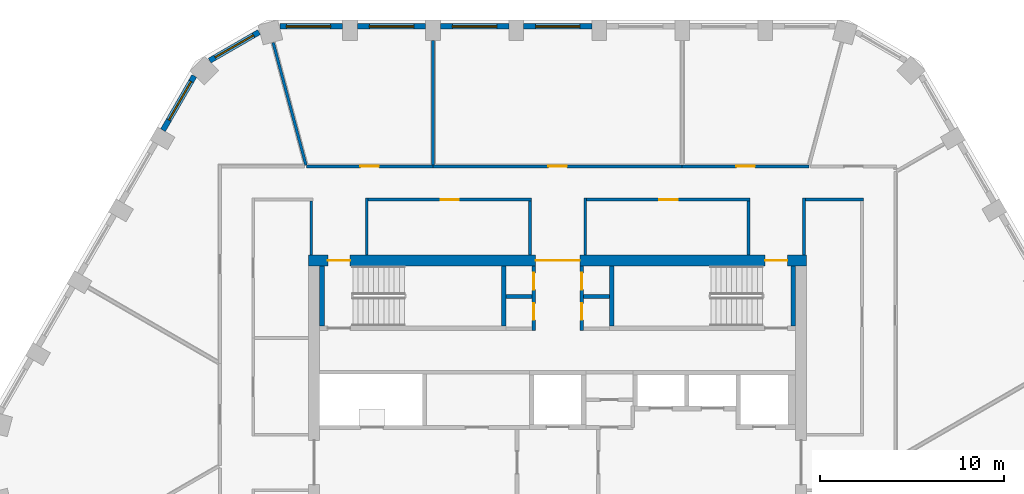
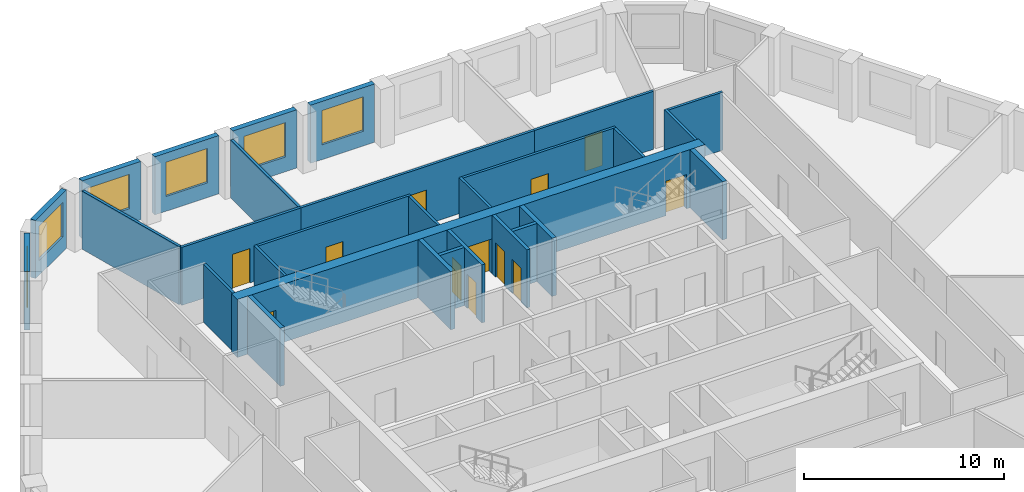
# One storey, part 6 of 13: 29 walls, 12 doors, 6 windows, 18 openings.
"""IFC4 building model written with IfcOpenShell, lengths in metres."""

from ifc_helpers import new_model, si_unit, direction, frame, frame_2d, origin, place, context, subcontext, project, spatial, rectangle, extrude, material, layer, layer_set, type_object, element, fill, save


model = new_model("IFC4")

# Units and contexts
model_context = context("Model", 3, precision=1e-05, world=origin(), true_north=direction((0.0, 1.0)))
body_context = subcontext(model_context, "Body", "Model", "MODEL_VIEW")
ifc_project = project(units=[si_unit("LENGTHUNIT", "METRE"), si_unit("AREAUNIT", "SQUARE_METRE"), si_unit("VOLUMEUNIT", "CUBIC_METRE"), si_unit("PLANEANGLEUNIT", "RADIAN"), si_unit("MASSUNIT", "GRAM", prefix="KILO")], contexts=[model_context])

# Site, building, storey
site_placement = place(None, origin())
site = spatial("IfcSite", under=ifc_project, at=site_placement, CompositionType="ELEMENT")
building_placement = place(site_placement, origin())
building = spatial("IfcBuilding", under=site, at=building_placement, Name="Dhurran Vertical Campus", CompositionType="ELEMENT")
storey_placement = place(building_placement, frame((0.0, 0.0, 191.699951171875)))
storey = spatial("IfcBuildingStorey", under=building, at=storey_placement, Name="L47", CompositionType="ELEMENT", Elevation=191.699951171875)

# Wall, opening, window
ifc_material_1 = material(Name="Precast concrete C50/60", Category="concrete")
ifc_layer_1 = layer(ifc_material_1, 0.300048828125)
ifc_layer_set_1 = layer_set([ifc_layer_1], Name="Precast concrete C50/60")
wall_type_1 = type_object("IfcWallType", Name="Precast spandrel wall 300", PredefinedType="SOLIDWALL", material=ifc_layer_set_1)
wall_1_placement = place(storey_placement, frame((1.849609375, 23.635498046875, 0.0), z_axis=(0.0, 0.0, 1.0), x_axis=(-1.0, 0.0, 0.0)))
wall_1 = element("IfcWall", 1, at=wall_1_placement, inside=storey, type_object=wall_type_1, Name="EW1 L47.23", PredefinedType="SOLIDWALL", context=body_context, shape_type="SweptSolid", body=[
    extrude(rectangle(XDim=3.69921875, YDim=0.300048828125, at=frame_2d((1.849609375, 0.0))), origin(), (0.0, 0.0, 1.0), 3.550048828125),
])
opening_1_placement = place(wall_1_placement, frame((0.6494140625, 0.0, 0.89990234375)))
opening_1 = element("IfcOpeningElement", 2, at=opening_1_placement, cuts=wall_1, Name="Opening WT1", PredefinedType="OPENING", context=body_context, shape_type="SweptSolid", body=[
    extrude(rectangle(XDim=2.39990234375, YDim=2.10009765625, at=frame_2d((1.199951171875, 1.050048828125))), frame((0.0, 0.159912109375, 0.0), z_axis=(0.0, -1.0, 0.0), x_axis=(1.0, 0.0, 0.0)), (0.0, 0.0, 1.0), 0.320068359375),
])
ifc_material_2 = material(Name="Aluminium frame with solar-control glass", Category="aluminium")
window_type = type_object("IfcWindowType", Name="Punched window 2400 x 2100", PartitioningType="SINGLE_PANEL", PredefinedType="WINDOW", material=ifc_material_2)
window_1_placement = place(opening_1_placement, origin())
window_1 = element("IfcWindow", 3, at=window_1_placement, inside=storey, type_object=window_type, Name="WT1 L47.23", OverallHeight=2.10009765625, OverallWidth=2.39990234375, PartitioningType="SINGLE_PANEL", PredefinedType="WINDOW", context=body_context, shape_type="SweptSolid", body=[
    extrude(rectangle(XDim=2.39990234375, YDim=2.10009765625, at=frame_2d((1.199951171875, 1.050048828125))), frame((0.0, 0.030029296875, 0.0), z_axis=(0.0, -1.0, 0.0), x_axis=(1.0, 0.0, 0.0)), (0.0, 0.0, 1.0), 0.06005859375),
])
fill(opening_1, window_1)

wall_2_placement = place(storey_placement, frame((-2.650390625, 23.635498046875, 0.0), z_axis=(0.0, 0.0, 1.0), x_axis=(-1.0, 0.0, 0.0)))
wall_2 = element("IfcWall", 4, at=wall_2_placement, inside=storey, type_object=wall_type_1, Name="EW1 L47.24", PredefinedType="SOLIDWALL", context=body_context, shape_type="SweptSolid", body=[
    extrude(rectangle(XDim=3.69921875, YDim=0.300048828125, at=frame_2d((1.849609375, 0.0))), origin(), (0.0, 0.0, 1.0), 3.550048828125),
])
opening_2_placement = place(wall_2_placement, frame((0.6494140625, 0.0, 0.89990234375)))
opening_2 = element("IfcOpeningElement", 5, at=opening_2_placement, cuts=wall_2, Name="Opening WT1", PredefinedType="OPENING", context=body_context, shape_type="SweptSolid", body=[
    extrude(rectangle(XDim=2.39990234375, YDim=2.10009765625, at=frame_2d((1.199951171875, 1.050048828125))), frame((0.0, 0.159912109375, 0.0), z_axis=(0.0, -1.0, 0.0), x_axis=(1.0, 0.0, 0.0)), (0.0, 0.0, 1.0), 0.320068359375),
])
window_2_placement = place(opening_2_placement, origin())
window_2 = element("IfcWindow", 6, at=window_2_placement, inside=storey, type_object=window_type, Name="WT1 L47.24", OverallHeight=2.10009765625, OverallWidth=2.39990234375, PartitioningType="SINGLE_PANEL", PredefinedType="WINDOW", context=body_context, shape_type="SweptSolid", body=[
    extrude(rectangle(XDim=2.39990234375, YDim=2.10009765625, at=frame_2d((1.199951171875, 1.050048828125))), frame((0.0, 0.030029296875, 0.0), z_axis=(0.0, -1.0, 0.0), x_axis=(1.0, 0.0, 0.0)), (0.0, 0.0, 1.0), 0.06005859375),
])
fill(opening_2, window_2)

wall_3_placement = place(storey_placement, frame((-7.150390625, 23.635498046875, 0.0), z_axis=(0.0, 0.0, 1.0), x_axis=(-1.0, 0.0, 0.0)))
wall_3 = element("IfcWall", 7, at=wall_3_placement, inside=storey, type_object=wall_type_1, Name="EW1 L47.25", PredefinedType="SOLIDWALL", context=body_context, shape_type="SweptSolid", body=[
    extrude(rectangle(XDim=3.69921875, YDim=0.300048828125, at=frame_2d((1.849609375, 0.0))), origin(), (0.0, 0.0, 1.0), 3.550048828125),
])
opening_3_placement = place(wall_3_placement, frame((0.6494140625, 0.0, 0.89990234375)))
opening_3 = element("IfcOpeningElement", 8, at=opening_3_placement, cuts=wall_3, Name="Opening WT1", PredefinedType="OPENING", context=body_context, shape_type="SweptSolid", body=[
    extrude(rectangle(XDim=2.39990234375, YDim=2.10009765625, at=frame_2d((1.199951171875, 1.050048828125))), frame((0.0, 0.159912109375, 0.0), z_axis=(0.0, -1.0, 0.0), x_axis=(1.0, 0.0, 0.0)), (0.0, 0.0, 1.0), 0.320068359375),
])
window_3_placement = place(opening_3_placement, origin())
window_3 = element("IfcWindow", 9, at=window_3_placement, inside=storey, type_object=window_type, Name="WT1 L47.25", OverallHeight=2.10009765625, OverallWidth=2.39990234375, PartitioningType="SINGLE_PANEL", PredefinedType="WINDOW", context=body_context, shape_type="SweptSolid", body=[
    extrude(rectangle(XDim=2.39990234375, YDim=2.10009765625, at=frame_2d((1.199951171875, 1.050048828125))), frame((0.0, 0.030029296875, 0.0), z_axis=(0.0, -1.0, 0.0), x_axis=(1.0, 0.0, 0.0)), (0.0, 0.0, 1.0), 0.06005859375),
])
fill(opening_3, window_3)

wall_4_placement = place(storey_placement, frame((-11.650390625, 23.635498046875, 0.0), z_axis=(0.0, 0.0, 1.0), x_axis=(-1.0, 0.0, 0.0)))
wall_4 = element("IfcWall", 10, at=wall_4_placement, inside=storey, type_object=wall_type_1, Name="EW1 L47.26", PredefinedType="SOLIDWALL", context=body_context, shape_type="SweptSolid", body=[
    extrude(rectangle(XDim=3.39599609375, YDim=0.300048828125, at=frame_2d((1.697998046875, 0.0))), origin(), (0.0, 0.0, 1.0), 3.550048828125),
])
opening_4_placement = place(wall_4_placement, frame((0.6494140625, 0.0, 0.89990234375)))
opening_4 = element("IfcOpeningElement", 11, at=opening_4_placement, cuts=wall_4, Name="Opening WT1", PredefinedType="OPENING", context=body_context, shape_type="SweptSolid", body=[
    extrude(rectangle(XDim=2.39990234375, YDim=2.10009765625, at=frame_2d((1.199951171875, 1.050048828125))), frame((0.0, 0.159912109375, 0.0), z_axis=(0.0, -1.0, 0.0), x_axis=(1.0, 0.0, 0.0)), (0.0, 0.0, 1.0), 0.320068359375),
])
window_4_placement = place(opening_4_placement, origin())
window_4 = element("IfcWindow", 12, at=window_4_placement, inside=storey, type_object=window_type, Name="WT1 L47.26", OverallHeight=2.10009765625, OverallWidth=2.39990234375, PartitioningType="SINGLE_PANEL", PredefinedType="WINDOW", context=body_context, shape_type="SweptSolid", body=[
    extrude(rectangle(XDim=2.39990234375, YDim=2.10009765625, at=frame_2d((1.199951171875, 1.050048828125))), frame((0.0, 0.030029296875, 0.0), z_axis=(0.0, -1.0, 0.0), x_axis=(1.0, 0.0, 0.0)), (0.0, 0.0, 1.0), 0.06005859375),
])
fill(opening_4, window_4)

wall_5_placement = place(storey_placement, frame((-16.184326171875, 23.330810546875, 0.0), z_axis=(0.0, 0.0, 1.0), x_axis=(-0.865994975416, -0.500052699777, 0.0)))
wall_5 = element("IfcWall", 13, at=wall_5_placement, inside=storey, type_object=wall_type_1, Name="EW1 L47.27", PredefinedType="SOLIDWALL", context=body_context, shape_type="SweptSolid", body=[
    extrude(rectangle(XDim=3.093017578125, YDim=0.300048828125, at=frame_2d((1.54638671875, 0.0))), origin(), (0.0, 0.0, 1.0), 3.550048828125),
])
opening_5_placement = place(wall_5_placement, frame((0.346435546875, 0.0, 0.89990234375)))
opening_5 = element("IfcOpeningElement", 14, at=opening_5_placement, cuts=wall_5, Name="Opening WT1", PredefinedType="OPENING", context=body_context, shape_type="SweptSolid", body=[
    extrude(rectangle(XDim=2.39990234375, YDim=2.10009765625, at=frame_2d((1.199951171875, 1.050048828125))), frame((0.0, 0.159912109375, 0.0), z_axis=(0.0, -1.0, 0.0), x_axis=(1.0, 0.0, 0.0)), (0.0, 0.0, 1.0), 0.320068359375),
])
window_5_placement = place(opening_5_placement, origin())
window_5 = element("IfcWindow", 15, at=window_5_placement, inside=storey, type_object=window_type, Name="WT1 L47.27", OverallHeight=2.10009765625, OverallWidth=2.39990234375, PartitioningType="SINGLE_PANEL", PredefinedType="WINDOW", context=body_context, shape_type="SweptSolid", body=[
    extrude(rectangle(XDim=2.39990234375, YDim=2.10009765625, at=frame_2d((1.199951171875, 1.050048828125))), frame((0.0, 0.030029296875, 0.0), z_axis=(0.0, -1.0, 0.0), x_axis=(1.0, 0.0, 0.0)), (0.0, 0.0, 1.0), 0.06005859375),
])
fill(opening_5, window_5)

wall_6_placement = place(storey_placement, frame((-19.69580078125, 20.951171875, 0.0), z_axis=(0.0, 0.0, 1.0), x_axis=(-0.500012868213, -0.866017974191, 0.0)))
wall_6 = element("IfcWall", 16, at=wall_6_placement, inside=storey, type_object=wall_type_1, Name="EW1 L47.28", PredefinedType="SOLIDWALL", context=body_context, shape_type="SweptSolid", body=[
    extrude(rectangle(XDim=3.39599609375, YDim=0.300048828125, at=frame_2d((1.697998046875, 0.0))), origin(), (0.0, 0.0, 1.0), 3.550048828125),
])
opening_6_placement = place(wall_6_placement, frame((0.346435546875, 0.0, 0.89990234375)))
opening_6 = element("IfcOpeningElement", 17, at=opening_6_placement, cuts=wall_6, Name="Opening WT1", PredefinedType="OPENING", context=body_context, shape_type="SweptSolid", body=[
    extrude(rectangle(XDim=2.39990234375, YDim=2.10009765625, at=frame_2d((1.199951171875, 1.050048828125))), frame((0.0, 0.159912109375, 0.0), z_axis=(0.0, -1.0, 0.0), x_axis=(1.0, 0.0, 0.0)), (0.0, 0.0, 1.0), 0.320068359375),
])
window_6_placement = place(opening_6_placement, origin())
window_6 = element("IfcWindow", 18, at=window_6_placement, inside=storey, type_object=window_type, Name="WT1 L47.28", OverallHeight=2.10009765625, OverallWidth=2.39990234375, PartitioningType="SINGLE_PANEL", PredefinedType="WINDOW", context=body_context, shape_type="SweptSolid", body=[
    extrude(rectangle(XDim=2.39990234375, YDim=2.10009765625, at=frame_2d((1.199951171875, 1.050048828125))), frame((0.0, 0.030029296875, 0.0), z_axis=(0.0, -1.0, 0.0), x_axis=(1.0, 0.0, 0.0)), (0.0, 0.0, 1.0), 0.06005859375),
])
fill(opening_6, window_6)

# Wall, openings, doors
ifc_material_3 = material(Name="Concrete C50/60", Category="concrete")
ifc_layer_2 = layer(ifc_material_3, 0.60009765625)
ifc_layer_set_2 = layer_set([ifc_layer_2], Name="Concrete C50/60")
wall_type_2 = type_object("IfcWallType", Name="co-CORE-WALL-C2-600", PredefinedType="SHEAR", material=ifc_layer_set_2)
wall_7_placement = place(storey_placement, frame((-13.5, 10.949951171875, 0.0), z_axis=(0.0, 0.0, 1.0), x_axis=(1.0, 0.0, 0.0)))
wall_7 = element("IfcWall", 19, at=wall_7_placement, inside=storey, type_object=wall_type_2, Name="Core wall N L47", PredefinedType="SHEAR", context=body_context, shape_type="SweptSolid", body=[
    extrude(rectangle(XDim=27.0, YDim=0.60009765625, at=frame_2d((13.5, 0.0))), origin(), (0.0, 0.0, 1.0), 3.550048828125),
])
opening_7_placement = place(wall_7_placement, frame((12.300048828125, 0.0, 0.0)))
opening_7 = element("IfcOpeningElement", 20, at=opening_7_placement, cuts=wall_7, Name="Opening CV1", PredefinedType="OPENING", context=body_context, shape_type="SweptSolid", body=[
    extrude(rectangle(XDim=2.39990234375, YDim=2.10009765625, at=frame_2d((1.199951171875, 1.050048828125))), frame((0.0, 0.31005859375, 0.0), z_axis=(0.0, -1.0, 0.0), x_axis=(1.0, 0.0, 0.0)), (0.0, 0.0, 1.0), 0.6201171875),
])
opening_8_placement = place(wall_7_placement, frame((1.050048828125, 0.0, 0.0)))
opening_8 = element("IfcOpeningElement", 21, at=opening_8_placement, cuts=wall_7, Name="Opening XD1", PredefinedType="OPENING", context=body_context, shape_type="SweptSolid", body=[
    extrude(rectangle(XDim=1.199951171875, YDim=2.10009765625, at=frame_2d((0.60009765625, 1.050048828125))), frame((0.0, 0.31005859375, 0.0), z_axis=(0.0, -1.0, 0.0), x_axis=(1.0, 0.0, 0.0)), (0.0, 0.0, 1.0), 0.6201171875),
])
opening_9_placement = place(wall_7_placement, frame((24.75, 0.0, 0.0)))
opening_9 = element("IfcOpeningElement", 22, at=opening_9_placement, cuts=wall_7, Name="Opening XD2", PredefinedType="OPENING", context=body_context, shape_type="SweptSolid", body=[
    extrude(rectangle(XDim=1.199951171875, YDim=2.10009765625, at=frame_2d((0.60009765625, 1.050048828125))), frame((0.0, 0.31005859375, 0.0), z_axis=(0.0, -1.0, 0.0), x_axis=(1.0, 0.0, 0.0)), (0.0, 0.0, 1.0), 0.6201171875),
])
ifc_material_4 = material(Name="Fire-rated glazed door set")
door_type_1 = type_object("IfcDoorType", Name="co-D-LOBBY 2400x2100", OperationType="DOUBLE_DOOR_DOUBLE_SWING", PredefinedType="DOOR", material=ifc_material_4)
door_1_placement = place(opening_7_placement, origin())
door_1 = element("IfcDoor", 23, at=door_1_placement, inside=storey, type_object=door_type_1, Name="Core vestibule door N L47", OperationType="DOUBLE_DOOR_DOUBLE_SWING", OverallHeight=2.10009765625, OverallWidth=2.39990234375, PredefinedType="DOOR", context=body_context, shape_type="SweptSolid", body=[
    extrude(rectangle(XDim=2.39990234375, YDim=2.10009765625, at=frame_2d((1.199951171875, 1.050048828125))), frame((0.0, 0.02490234375, 0.0), z_axis=(0.0, -1.0, 0.0), x_axis=(1.0, 0.0, 0.0)), (0.0, 0.0, 1.0), 0.050048828125),
])
fill(opening_7, door_1)
ifc_material_5 = material(Name="Fire-rated steel door set", Category="steel")
door_type_2 = type_object("IfcDoorType", Name="co-D-STAIR-EXIT 1200x2100", OperationType="SINGLE_SWING_RIGHT", PredefinedType="DOOR", material=ifc_material_5)
door_2_placement = place(opening_8_placement, origin())
door_2 = element("IfcDoor", 24, at=door_2_placement, inside=storey, type_object=door_type_2, Name="Stair ST1 exit door L47", OperationType="SINGLE_SWING_RIGHT", OverallHeight=2.10009765625, OverallWidth=1.199951171875, PredefinedType="DOOR", context=body_context, shape_type="SweptSolid", body=[
    extrude(rectangle(XDim=1.199951171875, YDim=2.10009765625, at=frame_2d((0.60009765625, 1.050048828125))), frame((0.0, 0.02490234375, 0.0), z_axis=(0.0, -1.0, 0.0), x_axis=(1.0, 0.0, 0.0)), (0.0, 0.0, 1.0), 0.050048828125),
])
fill(opening_8, door_2)
door_3_placement = place(opening_9_placement, origin())
door_3 = element("IfcDoor", 25, at=door_3_placement, inside=storey, type_object=door_type_2, Name="Stair ST2 exit door L47", OperationType="SINGLE_SWING_RIGHT", OverallHeight=2.10009765625, OverallWidth=1.199951171875, PredefinedType="DOOR", context=body_context, shape_type="SweptSolid", body=[
    extrude(rectangle(XDim=1.199951171875, YDim=2.10009765625, at=frame_2d((0.60009765625, 1.050048828125))), frame((0.0, 0.02490234375, 0.0), z_axis=(0.0, -1.0, 0.0), x_axis=(1.0, 0.0, 0.0)), (0.0, 0.0, 1.0), 0.050048828125),
])
fill(opening_9, door_3)

# Walls
ifc_material_6 = material(Name="Fire-rated masonry blockwork", Category="masonry")
ifc_layer_3 = layer(ifc_material_6, 0.199951171875)
ifc_layer_set_3 = layer_set([ifc_layer_3], Name="Fire-rated masonry blockwork")
wall_type_3 = type_object("IfcWallType", Name="co-FIRE-PARTITION-200", PredefinedType="PARTITIONING", material=ifc_layer_set_3)
for number, where, z_axis, x_axis, name in (
    (26, (-2.800048828125, 9.0, 0.0), (0.0, 0.0, 1.0), (1.0, 0.0, 0.0), "Core partition sl-NW-cut0 L47"),
    (27, (1.39990234375, 9.0, 0.0), (0.0, 0.0, 1.0), (1.0, 0.0, 0.0), "Core partition sl-NE-cut0 L47"),
):
    element("IfcWall", number, at=place(storey_placement, frame(where, z_axis=z_axis, x_axis=x_axis)), inside=storey, type_object=wall_type_3, Name=name, PredefinedType="PARTITIONING", context=body_context, shape_type="SweptSolid", body=[
        extrude(rectangle(XDim=1.400146484375, YDim=0.199951171875, at=frame_2d((0.7001953125, 0.0))), origin(), (0.0, 0.0, 1.0), 3.550048828125),
    ])

# Wall, openings, doors
wall_8_placement = place(storey_placement, frame((-1.300048828125, 7.14990234375, 0.0), z_axis=(0.0, 0.0, 1.0), x_axis=(0.0, 1.0, 0.0)))
wall_8 = element("IfcWall", 28, at=wall_8_placement, inside=storey, type_object=wall_type_3, Name="Core partition vest-NW L47", PredefinedType="PARTITIONING", context=body_context, shape_type="SweptSolid", body=[
    extrude(rectangle(XDim=3.5, YDim=0.199951171875, at=frame_2d((1.75, 0.0))), origin(), (0.0, 0.0, 1.0), 3.550048828125),
])
opening_10_placement = place(wall_8_placement, frame((0.574951171875, 0.0, 0.0)))
opening_10 = element("IfcOpeningElement", 29, at=opening_10_placement, cuts=wall_8, Name="Opening T13-C4", PredefinedType="OPENING", context=body_context, shape_type="SweptSolid", body=[
    extrude(rectangle(XDim=0.89990234375, YDim=2.10009765625, at=frame_2d((0.449951171875, 1.050048828125))), frame((0.0, 0.10986328125, 0.0), z_axis=(0.0, -1.0, 0.0), x_axis=(1.0, 0.0, 0.0)), (0.0, 0.0, 1.0), 0.219970703125),
])
opening_11_placement = place(wall_8_placement, frame((2.22509765625, 0.0, 0.0)))
opening_11 = element("IfcOpeningElement", 30, at=opening_11_placement, cuts=wall_8, Name="Opening T13-C5", PredefinedType="OPENING", context=body_context, shape_type="SweptSolid", body=[
    extrude(rectangle(XDim=0.89990234375, YDim=2.10009765625, at=frame_2d((0.449951171875, 1.050048828125))), frame((0.0, 0.10986328125, 0.0), z_axis=(0.0, -1.0, 0.0), x_axis=(1.0, 0.0, 0.0)), (0.0, 0.0, 1.0), 0.219970703125),
])
ifc_material_7 = material(Name="Fire-rated timber door set", Category="wood")
door_type_3 = type_object("IfcDoorType", Name="co-D-ROOM 900x2100", OperationType="SINGLE_SWING_LEFT", PredefinedType="DOOR", material=ifc_material_7)
door_4_placement = place(opening_10_placement, origin())
door_4 = element("IfcDoor", 31, at=door_4_placement, inside=storey, type_object=door_type_3, Name="Store door L47", OperationType="SINGLE_SWING_LEFT", OverallHeight=2.10009765625, OverallWidth=0.89990234375, PredefinedType="DOOR", context=body_context, shape_type="SweptSolid", body=[
    extrude(rectangle(XDim=0.89990234375, YDim=2.10009765625, at=frame_2d((0.449951171875, 1.050048828125))), frame((0.0, 0.02490234375, 0.0), z_axis=(0.0, -1.0, 0.0), x_axis=(1.0, 0.0, 0.0)), (0.0, 0.0, 1.0), 0.050048828125),
])
fill(opening_10, door_4)
door_5_placement = place(opening_11_placement, origin())
door_5 = element("IfcDoor", 32, at=door_5_placement, inside=storey, type_object=door_type_3, Name="Housekeeping store door L47", OperationType="SINGLE_SWING_LEFT", OverallHeight=2.10009765625, OverallWidth=0.89990234375, PredefinedType="DOOR", context=body_context, shape_type="SweptSolid", body=[
    extrude(rectangle(XDim=0.89990234375, YDim=2.10009765625, at=frame_2d((0.449951171875, 1.050048828125))), frame((0.0, 0.02490234375, 0.0), z_axis=(0.0, -1.0, 0.0), x_axis=(1.0, 0.0, 0.0)), (0.0, 0.0, 1.0), 0.050048828125),
])
fill(opening_11, door_5)

wall_9_placement = place(storey_placement, frame((1.300048828125, 7.14990234375, 0.0), z_axis=(0.0, 0.0, 1.0), x_axis=(0.0, 1.0, 0.0)))
wall_9 = element("IfcWall", 33, at=wall_9_placement, inside=storey, type_object=wall_type_3, Name="Core partition vest-NE L47", PredefinedType="PARTITIONING", context=body_context, shape_type="SweptSolid", body=[
    extrude(rectangle(XDim=3.5, YDim=0.199951171875, at=frame_2d((1.75, 0.0))), origin(), (0.0, 0.0, 1.0), 3.550048828125),
])
opening_12_placement = place(wall_9_placement, frame((0.574951171875, 0.0, 0.0)))
opening_12 = element("IfcOpeningElement", 34, at=opening_12_placement, cuts=wall_9, Name="Opening T13-C6", PredefinedType="OPENING", context=body_context, shape_type="SweptSolid", body=[
    extrude(rectangle(XDim=0.89990234375, YDim=2.10009765625, at=frame_2d((0.449951171875, 1.050048828125))), frame((0.0, 0.10986328125, 0.0), z_axis=(0.0, -1.0, 0.0), x_axis=(1.0, 0.0, 0.0)), (0.0, 0.0, 1.0), 0.219970703125),
])
opening_13_placement = place(wall_9_placement, frame((2.22509765625, 0.0, 0.0)))
opening_13 = element("IfcOpeningElement", 35, at=opening_13_placement, cuts=wall_9, Name="Opening T13-C7", PredefinedType="OPENING", context=body_context, shape_type="SweptSolid", body=[
    extrude(rectangle(XDim=0.89990234375, YDim=2.10009765625, at=frame_2d((0.449951171875, 1.050048828125))), frame((0.0, 0.10986328125, 0.0), z_axis=(0.0, -1.0, 0.0), x_axis=(1.0, 0.0, 0.0)), (0.0, 0.0, 1.0), 0.219970703125),
])
door_6_placement = place(opening_12_placement, origin())
door_6 = element("IfcDoor", 36, at=door_6_placement, inside=storey, type_object=door_type_3, Name="Fire equipment store door L47", OperationType="SINGLE_SWING_LEFT", OverallHeight=2.10009765625, OverallWidth=0.89990234375, PredefinedType="DOOR", context=body_context, shape_type="SweptSolid", body=[
    extrude(rectangle(XDim=0.89990234375, YDim=2.10009765625, at=frame_2d((0.449951171875, 1.050048828125))), frame((0.0, 0.02490234375, 0.0), z_axis=(0.0, -1.0, 0.0), x_axis=(1.0, 0.0, 0.0)), (0.0, 0.0, 1.0), 0.050048828125),
])
fill(opening_12, door_6)
door_7_placement = place(opening_13_placement, origin())
door_7 = element("IfcDoor", 37, at=door_7_placement, inside=storey, type_object=door_type_3, Name="Plant room door L47", OperationType="SINGLE_SWING_LEFT", OverallHeight=2.10009765625, OverallWidth=0.89990234375, PredefinedType="DOOR", context=body_context, shape_type="SweptSolid", body=[
    extrude(rectangle(XDim=0.89990234375, YDim=2.10009765625, at=frame_2d((0.449951171875, 1.050048828125))), frame((0.0, 0.02490234375, 0.0), z_axis=(0.0, -1.0, 0.0), x_axis=(1.0, 0.0, 0.0)), (0.0, 0.0, 1.0), 0.050048828125),
])
fill(opening_13, door_7)

# Walls
ifc_material_8 = material(Name="Concrete C40/50", Category="concrete")
ifc_layer_4 = layer(ifc_material_8, 0.25)
ifc_layer_set_4 = layer_set([ifc_layer_4], Name="Concrete C40/50")
wall_type_4 = type_object("IfcWallType", Name="co-STAIR-WALL-250", PredefinedType="SHEAR", material=ifc_layer_set_4)
for number, where, z_axis, x_axis, name in (
    (38, (-12.77490234375, 7.39990234375, 0.0), (0.0, 0.0, 1.0), (0.0, 1.0, 0.0), "Stair ST1 enclosure wall L47"),
    (39, (-2.925048828125, 7.39990234375, 0.0), (0.0, 0.0, 1.0), (0.0, 1.0, 0.0), "Stair ST1 enclosure wall L47"),
    (40, (2.925048828125, 7.39990234375, 0.0), (0.0, 0.0, 1.0), (0.0, 1.0, 0.0), "Stair ST2 enclosure wall L47"),
    (41, (12.77490234375, 7.39990234375, 0.0), (0.0, 0.0, 1.0), (0.0, 1.0, 0.0), "Stair ST2 enclosure wall L47"),
):
    element("IfcWall", number, at=place(storey_placement, frame(where, z_axis=z_axis, x_axis=x_axis)), inside=storey, type_object=wall_type_4, Name=name, PredefinedType="SHEAR", context=body_context, shape_type="SweptSolid", body=[
        extrude(rectangle(XDim=3.25, YDim=0.25, at=frame_2d((1.625, 0.0))), origin(), (0.0, 0.0, 1.0), 3.550048828125),
    ])

# Wall, opening, door
ifc_material_9 = material(Name="Gypsum board corridor wall on steel studs", Category="steel")
ifc_layer_5 = layer(ifc_material_9, 0.14990234375)
ifc_layer_set_5 = layer_set([ifc_layer_5], Name="Gypsum board corridor wall on steel studs")
wall_type_5 = type_object("IfcWallType", Name="fl-CW-150 corridor wall", PredefinedType="PARTITIONING", material=ifc_layer_set_5)
wall_10_placement = place(storey_placement, frame((-6.75, 16.050048828125, 0.0), z_axis=(0.0, 0.0, 1.0), x_axis=(-1.0, 0.0, 0.0)))
wall_10 = element("IfcWall", 42, at=wall_10_placement, inside=storey, type_object=wall_type_5, Name="Partition 47-21", PredefinedType="PARTITIONING", context=body_context, shape_type="SweptSolid", body=[
    extrude(rectangle(XDim=6.8740234375, YDim=0.14990234375, at=frame_2d((3.43701171875, 0.0))), origin(), (0.0, 0.0, 1.0), 3.550048828125),
])
opening_14_placement = place(wall_10_placement, frame((2.93701171875, 0.0, 0.0)))
opening_14 = element("IfcOpeningElement", 43, at=opening_14_placement, cuts=wall_10, Name="Opening T13.09", PredefinedType="OPENING", context=body_context, shape_type="SweptSolid", body=[
    extrude(rectangle(XDim=1.0, YDim=2.10009765625, at=frame_2d((0.5, 1.050048828125))), frame((0.0, 0.0849609375, 0.0), z_axis=(0.0, -1.0, 0.0), x_axis=(1.0, 0.0, 0.0)), (0.0, 0.0, 1.0), 0.169921875),
])
ifc_material_10 = material(Name="Solid-core timber door set, fire-rated", Category="wood")
door_type_4 = type_object("IfcDoorType", Name="fl-D-1000x2100", OperationType="SINGLE_SWING_LEFT", PredefinedType="DOOR", material=ifc_material_10)
door_8_placement = place(opening_14_placement, origin())
door_8 = element("IfcDoor", 44, at=door_8_placement, inside=storey, type_object=door_type_4, Name="Door 47.09", OperationType="SINGLE_SWING_RIGHT", OverallHeight=2.10009765625, OverallWidth=1.0, PredefinedType="DOOR", context=body_context, shape_type="SweptSolid", body=[
    extrude(rectangle(XDim=1.0, YDim=2.10009765625, at=frame_2d((0.5, 1.050048828125))), frame((0.0, 0.02490234375, 0.0), z_axis=(0.0, -1.0, 0.0), x_axis=(1.0, 0.0, 0.0)), (0.0, 0.0, 1.0), 0.050048828125),
])
fill(opening_14, door_8)

# Walls
wall_11_placement = place(storey_placement, frame((-13.35009765625, 14.175048828125, 0.0), z_axis=(0.0, 0.0, 1.0), x_axis=(0.0, -1.0, 0.0)))
element("IfcWall", 45, at=wall_11_placement, inside=storey, type_object=wall_type_5, Name="Partition 47-23", PredefinedType="PARTITIONING", context=body_context, shape_type="SweptSolid", body=[
    extrude(rectangle(XDim=2.925048828125, YDim=0.14990234375, at=frame_2d((1.46240234375, 0.0))), origin(), (0.0, 0.0, 1.0), 3.550048828125),
])
wall_12_placement = place(storey_placement, frame((-10.35009765625, 11.25, 0.0), z_axis=(0.0, 0.0, 1.0), x_axis=(0.0, 1.0, 0.0)))
element("IfcWall", 46, at=wall_12_placement, inside=storey, type_object=wall_type_5, Name="Partition 47-28", PredefinedType="PARTITIONING", context=body_context, shape_type="SweptSolid", body=[
    extrude(rectangle(XDim=3.074951171875, YDim=0.14990234375, at=frame_2d((1.53759765625, 0.0))), origin(), (0.0, 0.0, 1.0), 3.550048828125),
])

# Wall, opening, door
wall_13_placement = place(storey_placement, frame((-10.27490234375, 14.25, 0.0), z_axis=(0.0, 0.0, 1.0), x_axis=(1.0, 0.0, 0.0)))
wall_13 = element("IfcWall", 47, at=wall_13_placement, inside=storey, type_object=wall_type_5, Name="Partition 47-29", PredefinedType="PARTITIONING", context=body_context, shape_type="SweptSolid", body=[
    extrude(rectangle(XDim=8.849853515625, YDim=0.14990234375, at=frame_2d((4.4248046875, 0.0))), origin(), (0.0, 0.0, 1.0), 3.550048828125),
])
opening_15_placement = place(wall_13_placement, frame((3.925048828125, 0.0, 0.0)))
opening_15 = element("IfcOpeningElement", 48, at=opening_15_placement, cuts=wall_13, Name="Opening T13.11", PredefinedType="OPENING", context=body_context, shape_type="SweptSolid", body=[
    extrude(rectangle(XDim=1.0, YDim=2.10009765625, at=frame_2d((0.5, 1.050048828125))), frame((0.0, 0.0849609375, 0.0), z_axis=(0.0, -1.0, 0.0), x_axis=(1.0, 0.0, 0.0)), (0.0, 0.0, 1.0), 0.169921875),
])
door_9_placement = place(opening_15_placement, origin())
door_9 = element("IfcDoor", 49, at=door_9_placement, inside=storey, type_object=door_type_4, Name="Door 47.11", OperationType="SINGLE_SWING_LEFT", OverallHeight=2.10009765625, OverallWidth=1.0, PredefinedType="DOOR", context=body_context, shape_type="SweptSolid", body=[
    extrude(rectangle(XDim=1.0, YDim=2.10009765625, at=frame_2d((0.5, 1.050048828125))), frame((0.0, 0.02490234375, 0.0), z_axis=(0.0, -1.0, 0.0), x_axis=(1.0, 0.0, 0.0)), (0.0, 0.0, 1.0), 0.050048828125),
])
fill(opening_15, door_9)

wall_14_placement = place(storey_placement, frame((6.75, 16.050048828125, 0.0), z_axis=(0.0, 0.0, 1.0), x_axis=(-1.0, 0.0, 0.0)))
wall_14 = element("IfcWall", 50, at=wall_14_placement, inside=storey, type_object=wall_type_5, Name="Partition 47-31", PredefinedType="PARTITIONING", context=body_context, shape_type="SweptSolid", body=[
    extrude(rectangle(XDim=13.5, YDim=0.14990234375, at=frame_2d((6.75, 0.0))), origin(), (0.0, 0.0, 1.0), 3.550048828125),
])
opening_16_placement = place(wall_14_placement, frame((6.25, 0.0, 0.0)))
opening_16 = element("IfcOpeningElement", 51, at=opening_16_placement, cuts=wall_14, Name="Opening T13.13", PredefinedType="OPENING", context=body_context, shape_type="SweptSolid", body=[
    extrude(rectangle(XDim=1.0, YDim=2.10009765625, at=frame_2d((0.5, 1.050048828125))), frame((0.0, 0.0849609375, 0.0), z_axis=(0.0, -1.0, 0.0), x_axis=(1.0, 0.0, 0.0)), (0.0, 0.0, 1.0), 0.169921875),
])
door_10_placement = place(opening_16_placement, origin())
door_10 = element("IfcDoor", 52, at=door_10_placement, inside=storey, type_object=door_type_4, Name="Door 47.13", OperationType="SINGLE_SWING_LEFT", OverallHeight=2.10009765625, OverallWidth=1.0, PredefinedType="DOOR", context=body_context, shape_type="SweptSolid", body=[
    extrude(rectangle(XDim=1.0, YDim=2.10009765625, at=frame_2d((0.5, 1.050048828125))), frame((0.0, 0.02490234375, 0.0), z_axis=(0.0, -1.0, 0.0), x_axis=(1.0, 0.0, 0.0)), (0.0, 0.0, 1.0), 0.050048828125),
])
fill(opening_16, door_10)

# Walls
wall_15_placement = place(storey_placement, frame((-1.5, 14.175048828125, 0.0), z_axis=(0.0, 0.0, 1.0), x_axis=(0.0, -1.0, 0.0)))
element("IfcWall", 53, at=wall_15_placement, inside=storey, type_object=wall_type_5, Name="Partition 47-33", PredefinedType="PARTITIONING", context=body_context, shape_type="SweptSolid", body=[
    extrude(rectangle(XDim=2.925048828125, YDim=0.14990234375, at=frame_2d((1.46240234375, 0.0))), origin(), (0.0, 0.0, 1.0), 3.550048828125),
])
wall_16_placement = place(storey_placement, frame((1.5, 11.25, 0.0), z_axis=(0.0, 0.0, 1.0), x_axis=(0.0, 1.0, 0.0)))
element("IfcWall", 54, at=wall_16_placement, inside=storey, type_object=wall_type_5, Name="Partition 47-36", PredefinedType="PARTITIONING", context=body_context, shape_type="SweptSolid", body=[
    extrude(rectangle(XDim=3.074951171875, YDim=0.14990234375, at=frame_2d((1.53759765625, 0.0))), origin(), (0.0, 0.0, 1.0), 3.550048828125),
])

# Wall, opening, door
wall_17_placement = place(storey_placement, frame((1.574951171875, 14.25, 0.0), z_axis=(0.0, 0.0, 1.0), x_axis=(1.0, 0.0, 0.0)))
wall_17 = element("IfcWall", 55, at=wall_17_placement, inside=storey, type_object=wall_type_5, Name="Partition 47-37", PredefinedType="PARTITIONING", context=body_context, shape_type="SweptSolid", body=[
    extrude(rectangle(XDim=8.85009765625, YDim=0.14990234375, at=frame_2d((4.425048828125, 0.0))), origin(), (0.0, 0.0, 1.0), 3.550048828125),
])
opening_17_placement = place(wall_17_placement, frame((3.925048828125, 0.0, 0.0)))
opening_17 = element("IfcOpeningElement", 56, at=opening_17_placement, cuts=wall_17, Name="Opening T13.15", PredefinedType="OPENING", context=body_context, shape_type="SweptSolid", body=[
    extrude(rectangle(XDim=1.0, YDim=2.10009765625, at=frame_2d((0.5, 1.050048828125))), frame((0.0, 0.0849609375, 0.0), z_axis=(0.0, -1.0, 0.0), x_axis=(1.0, 0.0, 0.0)), (0.0, 0.0, 1.0), 0.169921875),
])
door_11_placement = place(opening_17_placement, origin())
door_11 = element("IfcDoor", 57, at=door_11_placement, inside=storey, type_object=door_type_4, Name="Door 47.15", OperationType="SINGLE_SWING_RIGHT", OverallHeight=2.10009765625, OverallWidth=1.0, PredefinedType="DOOR", context=body_context, shape_type="SweptSolid", body=[
    extrude(rectangle(XDim=1.0, YDim=2.10009765625, at=frame_2d((0.5, 1.050048828125))), frame((0.0, 0.02490234375, 0.0), z_axis=(0.0, -1.0, 0.0), x_axis=(1.0, 0.0, 0.0)), (0.0, 0.0, 1.0), 0.050048828125),
])
fill(opening_17, door_11)

wall_18_placement = place(storey_placement, frame((13.6240234375, 16.050048828125, 0.0), z_axis=(0.0, 0.0, 1.0), x_axis=(-1.0, 0.0, 0.0)))
wall_18 = element("IfcWall", 58, at=wall_18_placement, inside=storey, type_object=wall_type_5, Name="Partition 47-41", PredefinedType="PARTITIONING", context=body_context, shape_type="SweptSolid", body=[
    extrude(rectangle(XDim=6.8740234375, YDim=0.14990234375, at=frame_2d((3.43701171875, 0.0))), origin(), (0.0, 0.0, 1.0), 3.550048828125),
])
opening_18_placement = place(wall_18_placement, frame((2.93701171875, 0.0, 0.0)))
opening_18 = element("IfcOpeningElement", 59, at=opening_18_placement, cuts=wall_18, Name="Opening T13.17", PredefinedType="OPENING", context=body_context, shape_type="SweptSolid", body=[
    extrude(rectangle(XDim=1.0, YDim=2.10009765625, at=frame_2d((0.5, 1.050048828125))), frame((0.0, 0.0849609375, 0.0), z_axis=(0.0, -1.0, 0.0), x_axis=(1.0, 0.0, 0.0)), (0.0, 0.0, 1.0), 0.169921875),
])
door_12_placement = place(opening_18_placement, origin())
door_12 = element("IfcDoor", 60, at=door_12_placement, inside=storey, type_object=door_type_4, Name="Door 47.17", OperationType="SINGLE_SWING_RIGHT", OverallHeight=2.10009765625, OverallWidth=1.0, PredefinedType="DOOR", context=body_context, shape_type="SweptSolid", body=[
    extrude(rectangle(XDim=1.0, YDim=2.10009765625, at=frame_2d((0.5, 1.050048828125))), frame((0.0, 0.02490234375, 0.0), z_axis=(0.0, -1.0, 0.0), x_axis=(1.0, 0.0, 0.0)), (0.0, 0.0, 1.0), 0.050048828125),
])
fill(opening_18, door_12)

# Walls
wall_19_placement = place(storey_placement, frame((10.35009765625, 14.175048828125, 0.0), z_axis=(0.0, 0.0, 1.0), x_axis=(0.0, -1.0, 0.0)))
element("IfcWall", 61, at=wall_19_placement, inside=storey, type_object=wall_type_5, Name="Partition 47-43", PredefinedType="PARTITIONING", context=body_context, shape_type="SweptSolid", body=[
    extrude(rectangle(XDim=2.925048828125, YDim=0.14990234375, at=frame_2d((1.46240234375, 0.0))), origin(), (0.0, 0.0, 1.0), 3.550048828125),
])
wall_20_placement = place(storey_placement, frame((13.35009765625, 11.25, 0.0), z_axis=(0.0, 0.0, 1.0), x_axis=(0.0, 1.0, 0.0)))
element("IfcWall", 62, at=wall_20_placement, inside=storey, type_object=wall_type_5, Name="Partition 47-46", PredefinedType="PARTITIONING", context=body_context, shape_type="SweptSolid", body=[
    extrude(rectangle(XDim=3.074951171875, YDim=0.14990234375, at=frame_2d((1.53759765625, 0.0))), origin(), (0.0, 0.0, 1.0), 3.550048828125),
])
wall_21_placement = place(storey_placement, frame((13.425048828125, 14.25, 0.0), z_axis=(0.0, 0.0, 1.0), x_axis=(1.0, 0.0, 0.0)))
element("IfcWall", 63, at=wall_21_placement, inside=storey, type_object=wall_type_5, Name="Partition 47-47", PredefinedType="PARTITIONING", context=body_context, shape_type="SweptSolid", body=[
    extrude(rectangle(XDim=3.14990234375, YDim=0.14990234375, at=frame_2d((1.574951171875, 0.0))), origin(), (0.0, 0.0, 1.0), 3.550048828125),
])
ifc_material_11 = material(Name="Gypsum board partition on steel studs", Category="steel")
ifc_layer_6 = layer(ifc_material_11, 0.14990234375)
ifc_layer_set_6 = layer_set([ifc_layer_6], Name="Gypsum board partition on steel studs")
wall_type_6 = type_object("IfcWallType", Name="fl-PW-150 fixed partition", PredefinedType="PARTITIONING", material=ifc_layer_set_6)
wall_22_placement = place(storey_placement, frame((-15.422119140625, 22.76123046875, 0.0), z_axis=(0.0, 0.0, 1.0), x_axis=(0.258807697684, -0.965928866749, 0.0)))
element("IfcWall", 64, at=wall_22_placement, inside=storey, type_object=wall_type_6, Name="Partition 47-19", PredefinedType="PARTITIONING", context=body_context, shape_type="SweptSolid", body=[
    extrude(rectangle(XDim=6.873046875, YDim=0.14990234375, at=frame_2d((3.4365234375, 0.0))), origin(), (0.0, 0.0, 1.0), 3.550048828125),
])
wall_23_placement = place(storey_placement, frame((-6.75, 22.865478515625, 0.0), z_axis=(0.0, 0.0, 1.0), x_axis=(0.0, -1.0, 0.0)))
element("IfcWall", 65, at=wall_23_placement, inside=storey, type_object=wall_type_6, Name="Partition 47-30", PredefinedType="PARTITIONING", context=body_context, shape_type="SweptSolid", body=[
    extrude(rectangle(XDim=6.740478515625, YDim=0.14990234375, at=frame_2d((3.3701171875, 0.0))), origin(), (0.0, 0.0, 1.0), 3.550048828125),
])

save(model, "model.ifc")
